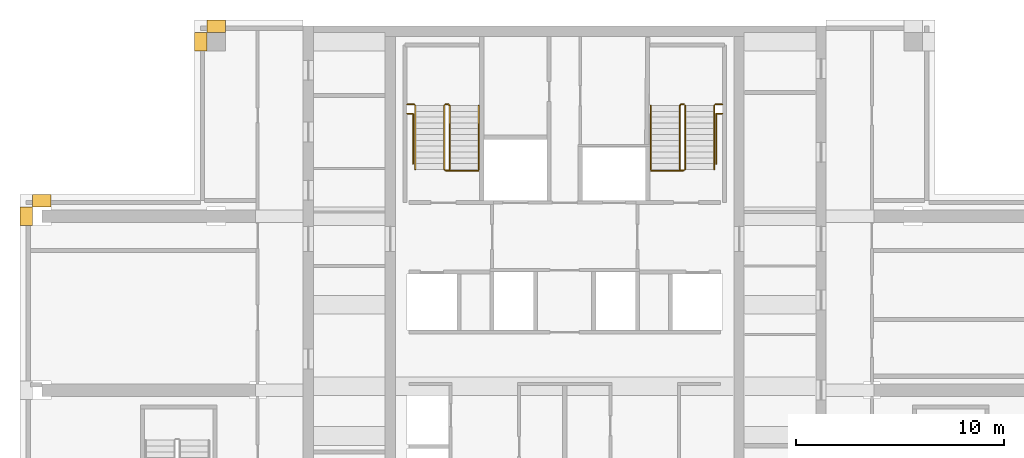
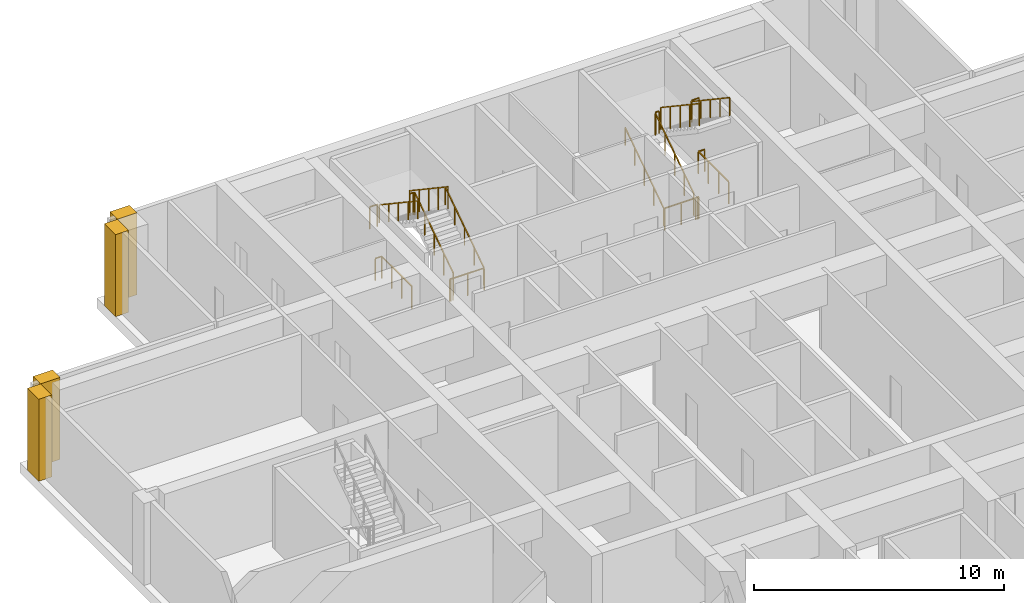
# One storey, part 10 of 11: 16 railings, 4 coverings.
"""IFC4 building model written with IfcOpenShell, lengths in metres."""

from ifc_helpers import new_model, si_unit, direction, frame, origin, origin_2d, place, context, subcontext, project, spatial, polyline, rectangle, outline, extrude, material, type_object, element, save


model = new_model("IFC4")

# Units and contexts
model_context = context("Model", 3, precision=1e-05, world=origin(), true_north=direction((0.0, 1.0)))
body_context = subcontext(model_context, "Body", "Model", "MODEL_VIEW")
ifc_project = project(units=[si_unit("LENGTHUNIT", "METRE"), si_unit("AREAUNIT", "SQUARE_METRE"), si_unit("VOLUMEUNIT", "CUBIC_METRE"), si_unit("PLANEANGLEUNIT", "RADIAN"), si_unit("MASSUNIT", "GRAM", prefix="KILO")], contexts=[model_context])

# Site, building, storey
site_placement = place(None, origin())
site = spatial("IfcSite", under=ifc_project, at=site_placement, CompositionType="ELEMENT")
building_placement = place(site_placement, origin())
building = spatial("IfcBuilding", under=site, at=building_placement, Name="Vermilion Ogive Tower", CompositionType="ELEMENT")
storey_placement = place(building_placement, frame((0.0, 0.0, 264.85009765625)))
storey = spatial("IfcBuildingStorey", under=building, at=storey_placement, Name="L70", CompositionType="ELEMENT", Elevation=264.85009765625)

# Railings
ifc_material_1 = material(Name="Steel S355 painted", Category="steel")
railing_type_1 = type_object("IfcRailingType", Name="Stair guard 1100", PredefinedType="GUARDRAIL", material=ifc_material_1)
railing_1_placement = place(storey_placement, frame((-5.550048828125, 14.85009765625, 0.1875)))
element("IfcRailing", 1, at=railing_1_placement, inside=storey, type_object=railing_type_1, Name="L70 ST1 stair guard 1", PredefinedType="GUARDRAIL", context=body_context, shape_type="SweptSolid", body=[
    extrude(rectangle(XDim=0.048095703125, YDim=0.048095703125, at=origin_2d()), frame((0.0, 0.0, 1.076171875), z_axis=(0.0, 0.830893310487, 0.556431762742), x_axis=(-1.0, 0.0, 0.0)), (0.0, 0.0, 1.0), 3.70654296875),
    extrude(rectangle(XDim=0.048095703125, YDim=0.048095703125, at=origin_2d()), frame((0.0, 3.079833984375, 3.138671875), z_axis=(-0.707106781187, 0.707106781187, 0.0), x_axis=(-0.707106781187, -0.707106781187, 0.0)), (0.0, 0.0, 1.0), 0.07080078125),
    extrude(rectangle(XDim=0.048095703125, YDim=0.048095703125, at=origin_2d()), frame((-0.050048828125, 3.1298828125, 3.138671875), z_axis=(-1.0, 0.0, 0.0), x_axis=(0.0, -1.0, 0.0)), (0.0, 0.0, 1.0), 0.14990234375),
    extrude(rectangle(XDim=0.0419921875, YDim=0.0419921875, at=origin_2d()), origin(), (0.0, 0.0, 1.0), 1.052001953125),
    extrude(rectangle(XDim=0.0419921875, YDim=0.0419921875, at=origin_2d()), frame((0.0, 0.77001953125, 0.515625)), (0.0, 0.0, 1.0), 1.052001953125),
    extrude(rectangle(XDim=0.0419921875, YDim=0.0419921875, at=origin_2d()), frame((0.0, 1.5400390625, 1.03125)), (0.0, 0.0, 1.0), 1.052001953125),
    extrude(rectangle(XDim=0.0419921875, YDim=0.0419921875, at=origin_2d()), frame((0.0, 2.309814453125, 1.546875)), (0.0, 0.0, 1.0), 1.052001953125),
    extrude(rectangle(XDim=0.0419921875, YDim=0.0419921875, at=origin_2d()), frame((0.0, 3.079833984375, 2.0625)), (0.0, 0.0, 1.0), 1.052001953125),
    extrude(rectangle(XDim=0.0419921875, YDim=0.0419921875, at=origin_2d()), frame((-0.050048828125, 3.1298828125, 2.0625)), (0.0, 0.0, 1.0), 1.052001953125),
    extrude(rectangle(XDim=0.0419921875, YDim=0.0419921875, at=origin_2d()), frame((-0.199951171875, 3.1298828125, 2.0625)), (0.0, 0.0, 1.0), 1.052001953125),
])
railing_2_placement = place(storey_placement, frame((-5.800048828125, 17.929931640625, 2.4375)))
element("IfcRailing", 2, at=railing_2_placement, inside=storey, type_object=railing_type_1, Name="L70 ST1 stair guard 3", PredefinedType="GUARDRAIL", context=body_context, shape_type="SweptSolid", body=[
    extrude(rectangle(XDim=0.048095703125, YDim=0.048095703125, at=origin_2d()), frame((0.0, 0.0, 1.076171875), z_axis=(0.0, -0.830893310487, 0.556431762742), x_axis=(1.0, 0.0, 0.0)), (0.0, 0.0, 1.0), 3.70654296875),
    extrude(rectangle(XDim=0.0419921875, YDim=0.0419921875, at=origin_2d()), origin(), (0.0, 0.0, 1.0), 1.052001953125),
    extrude(rectangle(XDim=0.0419921875, YDim=0.0419921875, at=origin_2d()), frame((0.0, -0.77001953125, 0.515625)), (0.0, 0.0, 1.0), 1.052001953125),
    extrude(rectangle(XDim=0.0419921875, YDim=0.0419921875, at=origin_2d()), frame((0.0, -1.5400390625, 1.03125)), (0.0, 0.0, 1.0), 1.052001953125),
    extrude(rectangle(XDim=0.0419921875, YDim=0.0419921875, at=origin_2d()), frame((0.0, -2.309814453125, 1.546875)), (0.0, 0.0, 1.0), 1.052001953125),
    extrude(rectangle(XDim=0.0419921875, YDim=0.0419921875, at=origin_2d()), frame((0.0, -3.079833984375, 2.0625)), (0.0, 0.0, 1.0), 1.052001953125),
])
railing_3_placement = place(storey_placement, frame((-5.60009765625, 14.800048828125, 0.0)))
element("IfcRailing", 3, at=railing_3_placement, inside=storey, type_object=railing_type_1, Name="L70 ST1 stair guard 4", PredefinedType="GUARDRAIL", context=body_context, shape_type="SweptSolid", body=[
    extrude(rectangle(XDim=0.048095703125, YDim=0.048095703125, at=origin_2d()), frame((0.0, 0.0, 1.076171875), z_axis=(-1.0, 0.0, 0.0), x_axis=(0.0, -1.0, 0.0)), (0.0, 0.0, 1.0), 0.14990234375),
    extrude(rectangle(XDim=0.0419921875, YDim=0.0419921875, at=origin_2d()), origin(), (0.0, 0.0, 1.0), 1.052001953125),
    extrude(rectangle(XDim=0.0419921875, YDim=0.0419921875, at=origin_2d()), frame((-0.14990234375, 0.0, 0.0)), (0.0, 0.0, 1.0), 1.052001953125),
])
railing_4_placement = place(storey_placement, frame((5.550048828125, 14.85009765625, 0.1875)))
element("IfcRailing", 4, at=railing_4_placement, inside=storey, type_object=railing_type_1, Name="L70 ST2 stair guard 1", PredefinedType="GUARDRAIL", context=body_context, shape_type="SweptSolid", body=[
    extrude(rectangle(XDim=0.048095703125, YDim=0.048095703125, at=origin_2d()), frame((0.0, 0.0, 1.076171875), z_axis=(0.0, 0.830893310487, 0.556431762742), x_axis=(-1.0, 0.0, 0.0)), (0.0, 0.0, 1.0), 3.70654296875),
    extrude(rectangle(XDim=0.048095703125, YDim=0.048095703125, at=origin_2d()), frame((0.0, 3.079833984375, 3.138671875), z_axis=(0.707106781187, 0.707106781187, 0.0), x_axis=(-0.707106781187, 0.707106781187, 0.0)), (0.0, 0.0, 1.0), 0.07080078125),
    extrude(rectangle(XDim=0.048095703125, YDim=0.048095703125, at=origin_2d()), frame((0.050048828125, 3.1298828125, 3.138671875), z_axis=(1.0, 0.0, 0.0), x_axis=(0.0, 1.0, 0.0)), (0.0, 0.0, 1.0), 0.14990234375),
    extrude(rectangle(XDim=0.0419921875, YDim=0.0419921875, at=origin_2d()), origin(), (0.0, 0.0, 1.0), 1.052001953125),
    extrude(rectangle(XDim=0.0419921875, YDim=0.0419921875, at=origin_2d()), frame((0.0, 0.77001953125, 0.515625)), (0.0, 0.0, 1.0), 1.052001953125),
    extrude(rectangle(XDim=0.0419921875, YDim=0.0419921875, at=origin_2d()), frame((0.0, 1.5400390625, 1.03125)), (0.0, 0.0, 1.0), 1.052001953125),
    extrude(rectangle(XDim=0.0419921875, YDim=0.0419921875, at=origin_2d()), frame((0.0, 2.309814453125, 1.546875)), (0.0, 0.0, 1.0), 1.052001953125),
    extrude(rectangle(XDim=0.0419921875, YDim=0.0419921875, at=origin_2d()), frame((0.0, 3.079833984375, 2.0625)), (0.0, 0.0, 1.0), 1.052001953125),
    extrude(rectangle(XDim=0.0419921875, YDim=0.0419921875, at=origin_2d()), frame((0.050048828125, 3.1298828125, 2.0625)), (0.0, 0.0, 1.0), 1.052001953125),
    extrude(rectangle(XDim=0.0419921875, YDim=0.0419921875, at=origin_2d()), frame((0.199951171875, 3.1298828125, 2.0625)), (0.0, 0.0, 1.0), 1.052001953125),
])
railing_5_placement = place(storey_placement, frame((5.800048828125, 17.929931640625, 2.4375)))
element("IfcRailing", 5, at=railing_5_placement, inside=storey, type_object=railing_type_1, Name="L70 ST2 stair guard 3", PredefinedType="GUARDRAIL", context=body_context, shape_type="SweptSolid", body=[
    extrude(rectangle(XDim=0.048095703125, YDim=0.048095703125, at=origin_2d()), frame((0.0, 0.0, 1.076171875), z_axis=(0.0, -0.830893310487, 0.556431762742), x_axis=(1.0, 0.0, 0.0)), (0.0, 0.0, 1.0), 3.70654296875),
    extrude(rectangle(XDim=0.0419921875, YDim=0.0419921875, at=origin_2d()), origin(), (0.0, 0.0, 1.0), 1.052001953125),
    extrude(rectangle(XDim=0.0419921875, YDim=0.0419921875, at=origin_2d()), frame((0.0, -0.77001953125, 0.515625)), (0.0, 0.0, 1.0), 1.052001953125),
    extrude(rectangle(XDim=0.0419921875, YDim=0.0419921875, at=origin_2d()), frame((0.0, -1.5400390625, 1.03125)), (0.0, 0.0, 1.0), 1.052001953125),
    extrude(rectangle(XDim=0.0419921875, YDim=0.0419921875, at=origin_2d()), frame((0.0, -2.309814453125, 1.546875)), (0.0, 0.0, 1.0), 1.052001953125),
    extrude(rectangle(XDim=0.0419921875, YDim=0.0419921875, at=origin_2d()), frame((0.0, -3.079833984375, 2.0625)), (0.0, 0.0, 1.0), 1.052001953125),
])
railing_6_placement = place(storey_placement, frame((5.60009765625, 14.800048828125, 0.0)))
element("IfcRailing", 6, at=railing_6_placement, inside=storey, type_object=railing_type_1, Name="L70 ST2 stair guard 4", PredefinedType="GUARDRAIL", context=body_context, shape_type="SweptSolid", body=[
    extrude(rectangle(XDim=0.048095703125, YDim=0.048095703125, at=origin_2d()), frame((0.0, 0.0, 1.076171875), z_axis=(1.0, 0.0, 0.0), x_axis=(0.0, 1.0, 0.0)), (0.0, 0.0, 1.0), 0.14990234375),
    extrude(rectangle(XDim=0.0419921875, YDim=0.0419921875, at=origin_2d()), origin(), (0.0, 0.0, 1.0), 1.052001953125),
    extrude(rectangle(XDim=0.0419921875, YDim=0.0419921875, at=origin_2d()), frame((0.14990234375, 0.0, 0.0)), (0.0, 0.0, 1.0), 1.052001953125),
])
for number, where, name in (
    (7, (-7.60009765625, 17.97998046875, 2.25), "L70 landing guard"),
    (8, (7.25, 17.97998046875, 2.25), "L70 landing guard"),
):
    element("IfcRailing", number, at=place(storey_placement, frame(where)), inside=storey, type_object=railing_type_1, Name=name, PredefinedType="GUARDRAIL", context=body_context, shape_type="SweptSolid", body=[
        extrude(rectangle(XDim=0.048095703125, YDim=0.048095703125, at=origin_2d()), frame((0.0, 0.0, 1.076171875), z_axis=(1.0, 0.0, 0.0), x_axis=(0.0, 1.0, 0.0)), (0.0, 0.0, 1.0), 0.35009765625),
        extrude(rectangle(XDim=0.0419921875, YDim=0.0419921875, at=origin_2d()), origin(), (0.0, 0.0, 1.0), 1.052001953125),
        extrude(rectangle(XDim=0.0419921875, YDim=0.0419921875, at=origin_2d()), frame((0.35009765625, 0.0, 0.0)), (0.0, 0.0, 1.0), 1.052001953125),
    ])
railing_7_placement = place(storey_placement, frame((-4.159912109375, 14.7900390625, 0.0)))
element("IfcRailing", 9, at=railing_7_placement, inside=storey, type_object=railing_type_1, Name="L70 stair opening guard", PredefinedType="GUARDRAIL", context=body_context, shape_type="SweptSolid", body=[
    extrude(rectangle(XDim=0.048095703125, YDim=0.048095703125, at=origin_2d()), frame((0.0, 0.0, 1.076171875), z_axis=(-1.0, 0.0, 0.0), x_axis=(0.0, -1.0, 0.0)), (0.0, 0.0, 1.0), 1.5400390625),
    extrude(rectangle(XDim=0.0419921875, YDim=0.0419921875, at=origin_2d()), origin(), (0.0, 0.0, 1.0), 1.052001953125),
    extrude(rectangle(XDim=0.0419921875, YDim=0.0419921875, at=origin_2d()), frame((-0.77001953125, 0.0, 0.0)), (0.0, 0.0, 1.0), 1.052001953125),
    extrude(rectangle(XDim=0.0419921875, YDim=0.0419921875, at=origin_2d()), frame((-1.5400390625, 0.0, 0.0)), (0.0, 0.0, 1.0), 1.052001953125),
])
railing_8_placement = place(storey_placement, frame((-7.3095703125, 15.11865234375, 0.0)))
element("IfcRailing", 10, at=railing_8_placement, inside=storey, type_object=railing_type_1, Name="L70 stair opening guard", PredefinedType="GUARDRAIL", context=body_context, shape_type="SweptSolid", body=[
    extrude(rectangle(XDim=0.048095703125, YDim=0.048095703125, at=origin_2d()), frame((0.0, 0.0, 1.076171875), z_axis=(0.0, 1.0, 0.0), x_axis=(-1.0, 0.0, 0.0)), (0.0, 0.0, 1.0), 2.42431640625),
    extrude(rectangle(XDim=0.048095703125, YDim=0.048095703125, at=origin_2d()), frame((0.0, 2.42431640625, 1.076171875), z_axis=(-1.0, 0.0, 0.0), x_axis=(0.0, -1.0, 0.0)), (0.0, 0.0, 1.0), 0.2900390625),
    extrude(rectangle(XDim=0.0419921875, YDim=0.0419921875, at=origin_2d()), origin(), (0.0, 0.0, 1.0), 1.052001953125),
    extrude(rectangle(XDim=0.0419921875, YDim=0.0419921875, at=origin_2d()), frame((0.0, 0.80810546875, 0.0)), (0.0, 0.0, 1.0), 1.052001953125),
    extrude(rectangle(XDim=0.0419921875, YDim=0.0419921875, at=origin_2d()), frame((0.0, 1.6162109375, 0.0)), (0.0, 0.0, 1.0), 1.052001953125),
    extrude(rectangle(XDim=0.0419921875, YDim=0.0419921875, at=origin_2d()), frame((0.0, 2.42431640625, 0.0)), (0.0, 0.0, 1.0), 1.052001953125),
    extrude(rectangle(XDim=0.0419921875, YDim=0.0419921875, at=origin_2d()), frame((-0.2900390625, 2.42431640625, 0.0)), (0.0, 0.0, 1.0), 1.052001953125),
])
railing_9_placement = place(storey_placement, frame((7.599609375, 17.54296875, 0.0)))
element("IfcRailing", 11, at=railing_9_placement, inside=storey, type_object=railing_type_1, Name="L70 stair opening guard", PredefinedType="GUARDRAIL", context=body_context, shape_type="SweptSolid", body=[
    extrude(rectangle(XDim=0.048095703125, YDim=0.048095703125, at=origin_2d()), frame((0.0, 0.0, 1.076171875), z_axis=(-1.0, 0.0, 0.0), x_axis=(0.0, -1.0, 0.0)), (0.0, 0.0, 1.0), 0.2900390625),
    extrude(rectangle(XDim=0.048095703125, YDim=0.048095703125, at=origin_2d()), frame((-0.2900390625, 0.0, 1.076171875), z_axis=(0.0, -1.0, 0.0), x_axis=(1.0, 0.0, 0.0)), (0.0, 0.0, 1.0), 2.42431640625),
    extrude(rectangle(XDim=0.0419921875, YDim=0.0419921875, at=origin_2d()), origin(), (0.0, 0.0, 1.0), 1.052001953125),
    extrude(rectangle(XDim=0.0419921875, YDim=0.0419921875, at=origin_2d()), frame((-0.2900390625, 0.0, 0.0)), (0.0, 0.0, 1.0), 1.052001953125),
    extrude(rectangle(XDim=0.0419921875, YDim=0.0419921875, at=origin_2d()), frame((-0.2900390625, -0.80810546875, 0.0)), (0.0, 0.0, 1.0), 1.052001953125),
    extrude(rectangle(XDim=0.0419921875, YDim=0.0419921875, at=origin_2d()), frame((-0.2900390625, -1.6162109375, 0.0)), (0.0, 0.0, 1.0), 1.052001953125),
    extrude(rectangle(XDim=0.0419921875, YDim=0.0419921875, at=origin_2d()), frame((-0.2900390625, -2.42431640625, 0.0)), (0.0, 0.0, 1.0), 1.052001953125),
])
railing_10_placement = place(storey_placement, frame((5.699951171875, 14.7900390625, 0.0)))
element("IfcRailing", 12, at=railing_10_placement, inside=storey, type_object=railing_type_1, Name="L70 stair opening guard", PredefinedType="GUARDRAIL", context=body_context, shape_type="SweptSolid", body=[
    extrude(rectangle(XDim=0.048095703125, YDim=0.048095703125, at=origin_2d()), frame((0.0, 0.0, 1.076171875), z_axis=(-1.0, 0.0, 0.0), x_axis=(0.0, -1.0, 0.0)), (0.0, 0.0, 1.0), 1.5400390625),
    extrude(rectangle(XDim=0.0419921875, YDim=0.0419921875, at=origin_2d()), origin(), (0.0, 0.0, 1.0), 1.052001953125),
    extrude(rectangle(XDim=0.0419921875, YDim=0.0419921875, at=origin_2d()), frame((-0.77001953125, 0.0, 0.0)), (0.0, 0.0, 1.0), 1.052001953125),
    extrude(rectangle(XDim=0.0419921875, YDim=0.0419921875, at=origin_2d()), frame((-1.5400390625, 0.0, 0.0)), (0.0, 0.0, 1.0), 1.052001953125),
])
ifc_material_2 = material(Name="Stainless steel", Category="steel")
railing_type_2 = type_object("IfcRailingType", Name="Stair handrail 900", PredefinedType="HANDRAIL", material=ifc_material_2)
railing_11_placement = place(storey_placement, frame((-4.14990234375, 14.85009765625, 0.1875)))
element("IfcRailing", 13, at=railing_11_placement, inside=storey, type_object=railing_type_2, Name="L70 ST1 stair handrail 1", PredefinedType="HANDRAIL", context=body_context, shape_type="SweptSolid", body=[
    extrude(rectangle(XDim=0.048095703125, YDim=0.048095703125, at=origin_2d()), frame((0.0, 0.0, 0.8759765625), z_axis=(0.0, 0.830893310487, 0.556431762742), x_axis=(-1.0, 0.0, 0.0)), (0.0, 0.0, 1.0), 3.70654296875),
    extrude(rectangle(XDim=0.0419921875, YDim=0.0419921875, at=origin_2d()), origin(), (0.0, 0.0, 1.0), 0.851806640625),
    extrude(rectangle(XDim=0.0419921875, YDim=0.0419921875, at=origin_2d()), frame((0.0, 0.77001953125, 0.515625)), (0.0, 0.0, 1.0), 0.851806640625),
    extrude(rectangle(XDim=0.0419921875, YDim=0.0419921875, at=origin_2d()), frame((0.0, 1.5400390625, 1.03125)), (0.0, 0.0, 1.0), 0.851806640625),
    extrude(rectangle(XDim=0.0419921875, YDim=0.0419921875, at=origin_2d()), frame((0.0, 2.309814453125, 1.546875)), (0.0, 0.0, 1.0), 0.851806640625),
    extrude(rectangle(XDim=0.0419921875, YDim=0.0419921875, at=origin_2d()), frame((0.0, 3.079833984375, 2.0625)), (0.0, 0.0, 1.0), 0.851806640625),
])
railing_12_placement = place(storey_placement, frame((-7.199951171875, 17.929931640625, 2.4375)))
element("IfcRailing", 14, at=railing_12_placement, inside=storey, type_object=railing_type_2, Name="L70 ST1 stair handrail 2", PredefinedType="HANDRAIL", context=body_context, shape_type="SweptSolid", body=[
    extrude(rectangle(XDim=0.048095703125, YDim=0.048095703125, at=origin_2d()), frame((0.0, 0.0, 0.8759765625), z_axis=(0.0, -0.830893310487, 0.556431762742), x_axis=(1.0, 0.0, 0.0)), (0.0, 0.0, 1.0), 3.70654296875),
    extrude(rectangle(XDim=0.0419921875, YDim=0.0419921875, at=origin_2d()), origin(), (0.0, 0.0, 1.0), 0.851806640625),
    extrude(rectangle(XDim=0.0419921875, YDim=0.0419921875, at=origin_2d()), frame((0.0, -0.77001953125, 0.515625)), (0.0, 0.0, 1.0), 0.851806640625),
    extrude(rectangle(XDim=0.0419921875, YDim=0.0419921875, at=origin_2d()), frame((0.0, -1.5400390625, 1.03125)), (0.0, 0.0, 1.0), 0.851806640625),
    extrude(rectangle(XDim=0.0419921875, YDim=0.0419921875, at=origin_2d()), frame((0.0, -2.309814453125, 1.546875)), (0.0, 0.0, 1.0), 0.851806640625),
    extrude(rectangle(XDim=0.0419921875, YDim=0.0419921875, at=origin_2d()), frame((0.0, -3.079833984375, 2.0625)), (0.0, 0.0, 1.0), 0.851806640625),
])
railing_13_placement = place(storey_placement, frame((4.14990234375, 14.85009765625, 0.1875)))
element("IfcRailing", 15, at=railing_13_placement, inside=storey, type_object=railing_type_2, Name="L70 ST2 stair handrail 1", PredefinedType="HANDRAIL", context=body_context, shape_type="SweptSolid", body=[
    extrude(rectangle(XDim=0.048095703125, YDim=0.048095703125, at=origin_2d()), frame((0.0, 0.0, 0.8759765625), z_axis=(0.0, 0.830893310487, 0.556431762742), x_axis=(-1.0, 0.0, 0.0)), (0.0, 0.0, 1.0), 3.70654296875),
    extrude(rectangle(XDim=0.0419921875, YDim=0.0419921875, at=origin_2d()), origin(), (0.0, 0.0, 1.0), 0.851806640625),
    extrude(rectangle(XDim=0.0419921875, YDim=0.0419921875, at=origin_2d()), frame((0.0, 0.77001953125, 0.515625)), (0.0, 0.0, 1.0), 0.851806640625),
    extrude(rectangle(XDim=0.0419921875, YDim=0.0419921875, at=origin_2d()), frame((0.0, 1.5400390625, 1.03125)), (0.0, 0.0, 1.0), 0.851806640625),
    extrude(rectangle(XDim=0.0419921875, YDim=0.0419921875, at=origin_2d()), frame((0.0, 2.309814453125, 1.546875)), (0.0, 0.0, 1.0), 0.851806640625),
    extrude(rectangle(XDim=0.0419921875, YDim=0.0419921875, at=origin_2d()), frame((0.0, 3.079833984375, 2.0625)), (0.0, 0.0, 1.0), 0.851806640625),
])
railing_14_placement = place(storey_placement, frame((7.199951171875, 17.929931640625, 2.4375)))
element("IfcRailing", 16, at=railing_14_placement, inside=storey, type_object=railing_type_2, Name="L70 ST2 stair handrail 2", PredefinedType="HANDRAIL", context=body_context, shape_type="SweptSolid", body=[
    extrude(rectangle(XDim=0.048095703125, YDim=0.048095703125, at=origin_2d()), frame((0.0, 0.0, 0.8759765625), z_axis=(0.0, -0.830893310487, 0.556431762742), x_axis=(1.0, 0.0, 0.0)), (0.0, 0.0, 1.0), 3.70654296875),
    extrude(rectangle(XDim=0.0419921875, YDim=0.0419921875, at=origin_2d()), origin(), (0.0, 0.0, 1.0), 0.851806640625),
    extrude(rectangle(XDim=0.0419921875, YDim=0.0419921875, at=origin_2d()), frame((0.0, -0.77001953125, 0.515625)), (0.0, 0.0, 1.0), 0.851806640625),
    extrude(rectangle(XDim=0.0419921875, YDim=0.0419921875, at=origin_2d()), frame((0.0, -1.5400390625, 1.03125)), (0.0, 0.0, 1.0), 0.851806640625),
    extrude(rectangle(XDim=0.0419921875, YDim=0.0419921875, at=origin_2d()), frame((0.0, -2.309814453125, 1.546875)), (0.0, 0.0, 1.0), 0.851806640625),
    extrude(rectangle(XDim=0.0419921875, YDim=0.0419921875, at=origin_2d()), frame((0.0, -3.079833984375, 2.0625)), (0.0, 0.0, 1.0), 0.851806640625),
])

# Coverings
ifc_material_3 = material(Name="Stone cladding", Category="masonry")
covering_type = type_object("IfcCoveringType", Name="Stone pier", PredefinedType="CLADDING", material=ifc_material_3)
covering_1_placement = place(storey_placement, origin())
element("IfcCovering", 17, at=covering_1_placement, inside=storey, type_object=covering_type, Name="Stone pier P-0168+210N2", PredefinedType="CLADDING", context=body_context, shape_type="SweptSolid", body=[
    extrude(outline(polyline([(-17.25, 21.449951171875), (-17.25, 22.050048828125), (-16.35009765625, 22.050048828125), (-16.35009765625, 21.449951171875), (-17.25, 21.449951171875), (-17.25, 21.449951171875)])), origin(), (0.0, 0.0, 1.0), 4.0),
])
covering_2_placement = place(storey_placement, origin())
element("IfcCovering", 18, at=covering_2_placement, inside=storey, type_object=covering_type, Name="Stone pier P-0168+210X5", PredefinedType="CLADDING", context=body_context, shape_type="SweptSolid", body=[
    extrude(outline(polyline([(-17.85009765625, 21.449951171875), (-17.25, 21.449951171875), (-17.25, 21.449951171875), (-17.25, 20.550048828125), (-17.85009765625, 20.550048828125), (-17.85009765625, 21.449951171875)])), origin(), (0.0, 0.0, 1.0), 4.0),
])
covering_3_placement = place(storey_placement, origin())
element("IfcCovering", 19, at=covering_3_placement, inside=storey, type_object=covering_type, Name="Stone pier P-0252+126X6", PredefinedType="CLADDING", context=body_context, shape_type="SweptSolid", body=[
    extrude(outline(polyline([(-25.64990234375, 13.050048828125), (-25.64990234375, 13.64990234375), (-24.75, 13.64990234375), (-24.75, 13.050048828125), (-24.75, 13.050048828125), (-25.64990234375, 13.050048828125)])), origin(), (0.0, 0.0, 1.0), 4.0),
])
covering_4_placement = place(storey_placement, origin())
element("IfcCovering", 20, at=covering_4_placement, inside=storey, type_object=covering_type, Name="Stone pier P-0252+126W", PredefinedType="CLADDING", context=body_context, shape_type="SweptSolid", body=[
    extrude(outline(polyline([(-26.25, 13.050048828125), (-25.64990234375, 13.050048828125), (-25.64990234375, 12.14990234375), (-26.25, 12.14990234375), (-26.25, 13.050048828125)])), origin(), (0.0, 0.0, 1.0), 4.0),
])

save(model, "model.ifc")
